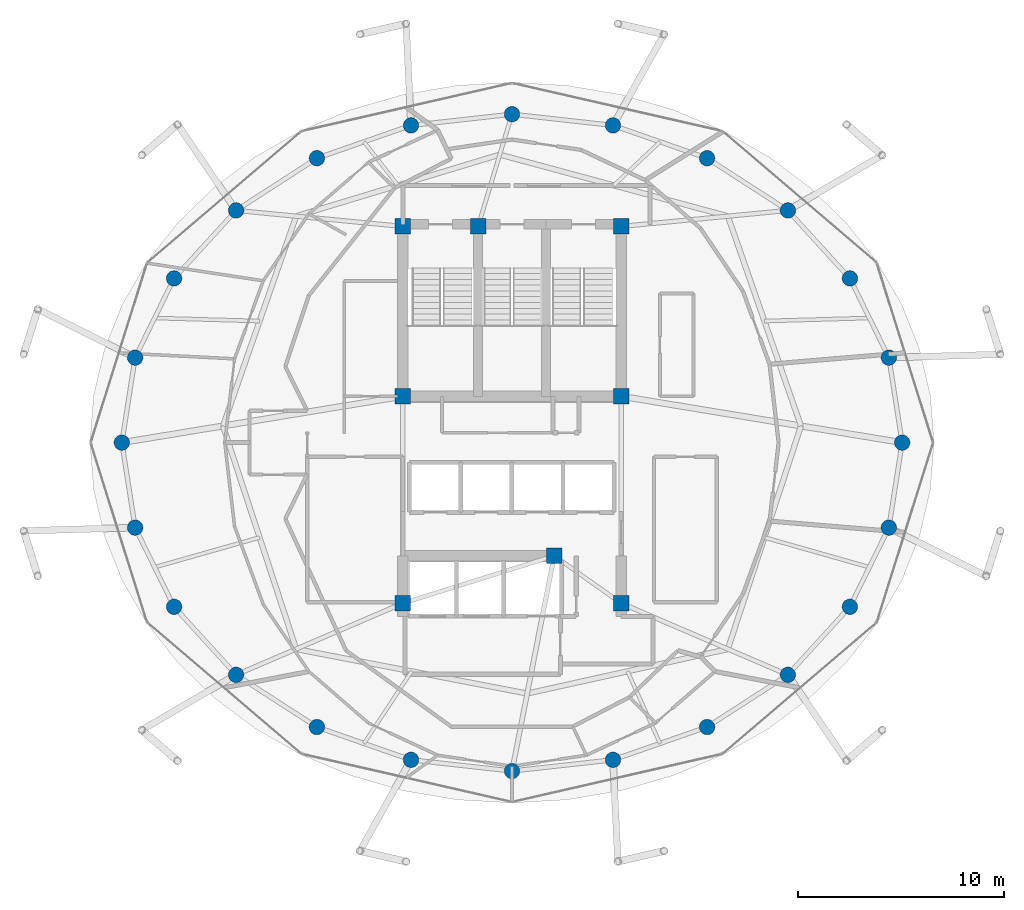
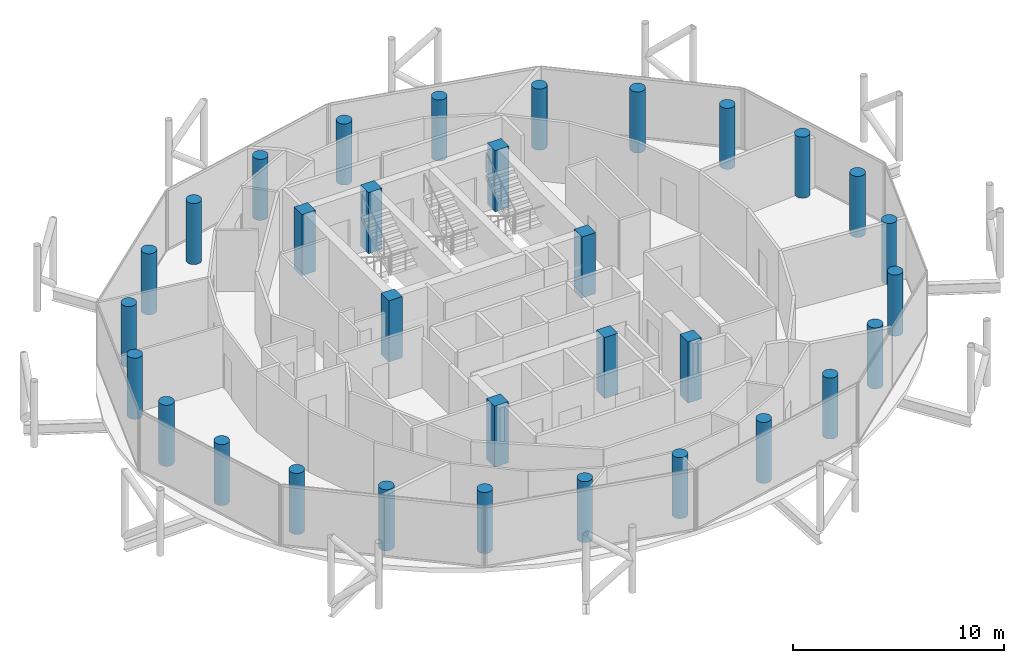
# One storey, part 1 of 24: 32 columns.
"""IFC4 building model written with IfcOpenShell, lengths in metres."""

from ifc_helpers import new_model, si_unit, direction, frame, origin, origin_2d, place, context, subcontext, project, spatial, rectangle, circle, extrude, material, material_profile, profile_set, type_object, element, save


model = new_model("IFC4")

# Units and contexts
model_context = context("Model", 3, precision=1e-05, world=origin(), true_north=direction((0.0, 1.0)))
body_context = subcontext(model_context, "Body", "Model", "MODEL_VIEW")
ifc_project = project(units=[si_unit("LENGTHUNIT", "METRE"), si_unit("AREAUNIT", "SQUARE_METRE"), si_unit("VOLUMEUNIT", "CUBIC_METRE"), si_unit("PLANEANGLEUNIT", "RADIAN"), si_unit("MASSUNIT", "GRAM", prefix="KILO")], contexts=[model_context])

# Site, building, storey
site_placement = place(None, origin())
site = spatial("IfcSite", under=ifc_project, at=site_placement, CompositionType="ELEMENT")
building_placement = place(site_placement, origin())
building = spatial("IfcBuilding", under=site, at=building_placement, Name="Nuhasar Tower", CompositionType="ELEMENT")
storey_placement = place(building_placement, frame((0.0, 0.0, 286.0)))
storey = spatial("IfcBuildingStorey", under=building, at=storey_placement, Name="L71", CompositionType="ELEMENT", Elevation=286.0)

# Columns
ifc_material = material(Name="Concrete C50/60", Category="concrete")
ifc_material_profile_1 = material_profile(ifc_material, circle(Radius=0.375, at=origin_2d()), Name="CFT750")
ifc_profile_set_1 = profile_set([ifc_material_profile_1], Name="Concrete C50/60")
column_type_1 = type_object("IfcColumnType", Name="COL-CFT-750", PredefinedType="COLUMN", material=ifc_profile_set_1)
for number, where, z_axis, x_axis, name in (
    (1, (57.949951171875, 26.800048828125, 0.0), (0.0, 0.0, 1.0), (1.0, 0.0, 0.0), "L71 Perimeter Composite Column TC-01"),
    (2, (57.303955078125, 30.927978515625, 0.0), (0.0, 0.0, 1.0), (1.0, 0.0, 0.0), "L71 Perimeter Composite Column TC-02"),
    (3, (55.410888671875, 34.77490234375, 0.0), (0.0, 0.0, 1.0), (1.0, 0.0, 0.0), "L71 Perimeter Composite Column TC-03"),
    (4, (52.39990234375, 38.077880859375, 0.0), (0.0, 0.0, 1.0), (1.0, 0.0, 0.0), "L71 Perimeter Composite Column TC-04"),
    (5, (48.47509765625, 40.613037109375, 0.0), (0.0, 0.0, 1.0), (1.0, 0.0, 0.0), "L71 Perimeter Composite Column TC-05"),
    (6, (43.905029296875, 42.20703125, 0.0), (0.0, 0.0, 1.0), (1.0, 0.0, 0.0), "L71 Perimeter Composite Column TC-06"),
    (7, (39.0, 42.75, 0.0), (0.0, 0.0, 1.0), (1.0, 0.0, 0.0), "L71 Perimeter Composite Column TC-07"),
    (8, (34.094970703125, 42.20703125, 0.0), (0.0, 0.0, 1.0), (1.0, 0.0, 0.0), "L71 Perimeter Composite Column TC-08"),
    (9, (29.52490234375, 40.613037109375, 0.0), (0.0, 0.0, 1.0), (1.0, 0.0, 0.0), "L71 Perimeter Composite Column TC-09"),
    (10, (25.60009765625, 38.077880859375, 0.0), (0.0, 0.0, 1.0), (1.0, 0.0, 0.0), "L71 Perimeter Composite Column TC-10"),
    (11, (22.589111328125, 34.77490234375, 0.0), (0.0, 0.0, 1.0), (1.0, 0.0, 0.0), "L71 Perimeter Composite Column TC-11"),
    (12, (20.696044921875, 30.927978515625, 0.0), (0.0, 0.0, 1.0), (1.0, 0.0, 0.0), "L71 Perimeter Composite Column TC-12"),
    (13, (20.050048828125, 26.800048828125, 0.0), (0.0, 0.0, 1.0), (1.0, 0.0, 0.0), "L71 Perimeter Composite Column TC-13"),
    (14, (20.696044921875, 22.672119140625, 0.0), (0.0, 0.0, 1.0), (1.0, 0.0, 0.0), "L71 Perimeter Composite Column TC-14"),
    (15, (22.589111328125, 18.824951171875, 0.0), (0.0, 0.0, 1.0), (1.0, 0.0, 0.0), "L71 Perimeter Composite Column TC-15"),
    (16, (25.60009765625, 15.52197265625, 0.0), (0.0, 0.0, 1.0), (1.0, 0.0, 0.0), "L71 Perimeter Composite Column TC-16"),
    (17, (29.52490234375, 12.987060546875, 0.0), (0.0, 0.0, 1.0), (1.0, 0.0, 0.0), "L71 Perimeter Composite Column TC-17"),
    (18, (34.094970703125, 11.39306640625, 0.0), (0.0, 0.0, 1.0), (1.0, 0.0, 0.0), "L71 Perimeter Composite Column TC-18"),
    (19, (39.0, 10.85009765625, 0.0), (0.0, 0.0, 1.0), (1.0, 0.0, 0.0), "L71 Perimeter Composite Column TC-19"),
    (20, (43.905029296875, 11.39306640625, 0.0), (0.0, 0.0, 1.0), (1.0, 0.0, 0.0), "L71 Perimeter Composite Column TC-20"),
    (21, (48.47509765625, 12.987060546875, 0.0), (0.0, 0.0, 1.0), (1.0, 0.0, 0.0), "L71 Perimeter Composite Column TC-21"),
    (22, (52.39990234375, 15.52197265625, 0.0), (0.0, 0.0, 1.0), (1.0, 0.0, 0.0), "L71 Perimeter Composite Column TC-22"),
    (23, (55.410888671875, 18.824951171875, 0.0), (0.0, 0.0, 1.0), (1.0, 0.0, 0.0), "L71 Perimeter Composite Column TC-23"),
    (24, (57.303955078125, 22.672119140625, 0.0), (0.0, 0.0, 1.0), (1.0, 0.0, 0.0), "L71 Perimeter Composite Column TC-24"),
):
    element("IfcColumn", number, at=place(storey_placement, frame(where, z_axis=z_axis, x_axis=x_axis)), inside=storey, type_object=column_type_1, Name=name, PredefinedType="COLUMN", context=body_context, shape_type="SweptSolid", body=[
        extrude(circle(Radius=0.375, at=origin_2d()), origin(), (0.0, 0.0, 1.0), 3.5400390625),
    ])
ifc_material_profile_2 = material_profile(ifc_material, rectangle(XDim=0.75, YDim=0.75, at=origin_2d()), Name="RC750X750")
ifc_profile_set_2 = profile_set([ifc_material_profile_2], Name="Concrete C50/60")
column_type_2 = type_object("IfcColumnType", Name="PIL-RC-750", PredefinedType="PILASTER", material=ifc_profile_set_2)
for number, where, z_axis, x_axis, name in (
    (25, (33.699951171875, 19.0, 0.0), (0.0, 0.0, 1.0), (1.0, 0.0, 0.0), "L71 Core Boundary Pilaster CC-01"),
    (26, (41.050048828125, 21.300048828125, 0.0), (0.0, 0.0, 1.0), (1.0, 0.0, 0.0), "L71 Core Boundary Pilaster CC-02"),
    (27, (44.300048828125, 19.0, 0.0), (0.0, 0.0, 1.0), (1.0, 0.0, 0.0), "L71 Core Boundary Pilaster CC-03"),
    (28, (44.300048828125, 29.050048828125, 0.0), (0.0, 0.0, 1.0), (1.0, 0.0, 0.0), "L71 Core Boundary Pilaster CC-04"),
    (29, (44.300048828125, 37.300048828125, 0.0), (0.0, 0.0, 1.0), (1.0, 0.0, 0.0), "L71 Core Boundary Pilaster CC-05"),
    (30, (37.35009765625, 37.300048828125, 0.0), (0.0, 0.0, 1.0), (1.0, 0.0, 0.0), "L71 Core Boundary Pilaster CC-06"),
    (31, (33.699951171875, 37.300048828125, 0.0), (0.0, 0.0, 1.0), (1.0, 0.0, 0.0), "L71 Core Boundary Pilaster CC-07"),
    (32, (33.699951171875, 29.050048828125, 0.0), (0.0, 0.0, 1.0), (1.0, 0.0, 0.0), "L71 Core Boundary Pilaster CC-08"),
):
    element("IfcColumn", number, at=place(storey_placement, frame(where, z_axis=z_axis, x_axis=x_axis)), inside=storey, type_object=column_type_2, Name=name, PredefinedType="PILASTER", context=body_context, shape_type="SweptSolid", body=[
        extrude(rectangle(XDim=0.75, YDim=0.75, at=origin_2d()), origin(), (0.0, 0.0, 1.0), 3.5400390625),
    ])

save(model, "model.ifc")
